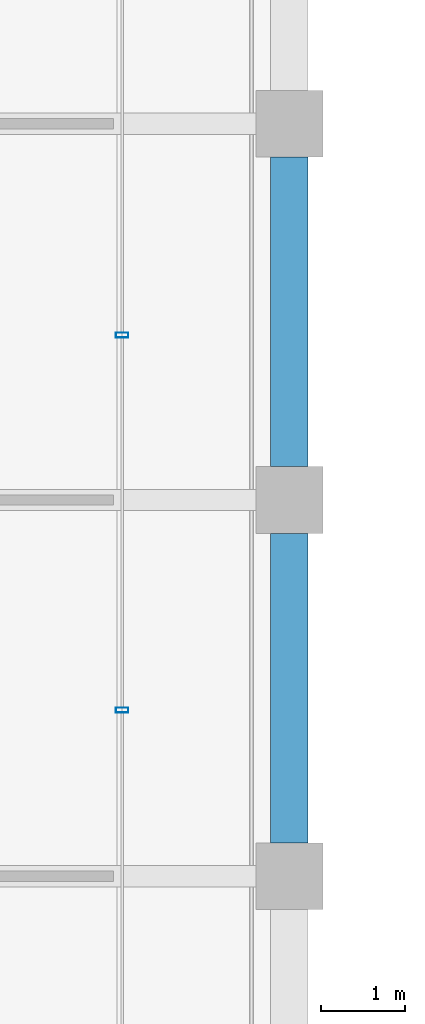
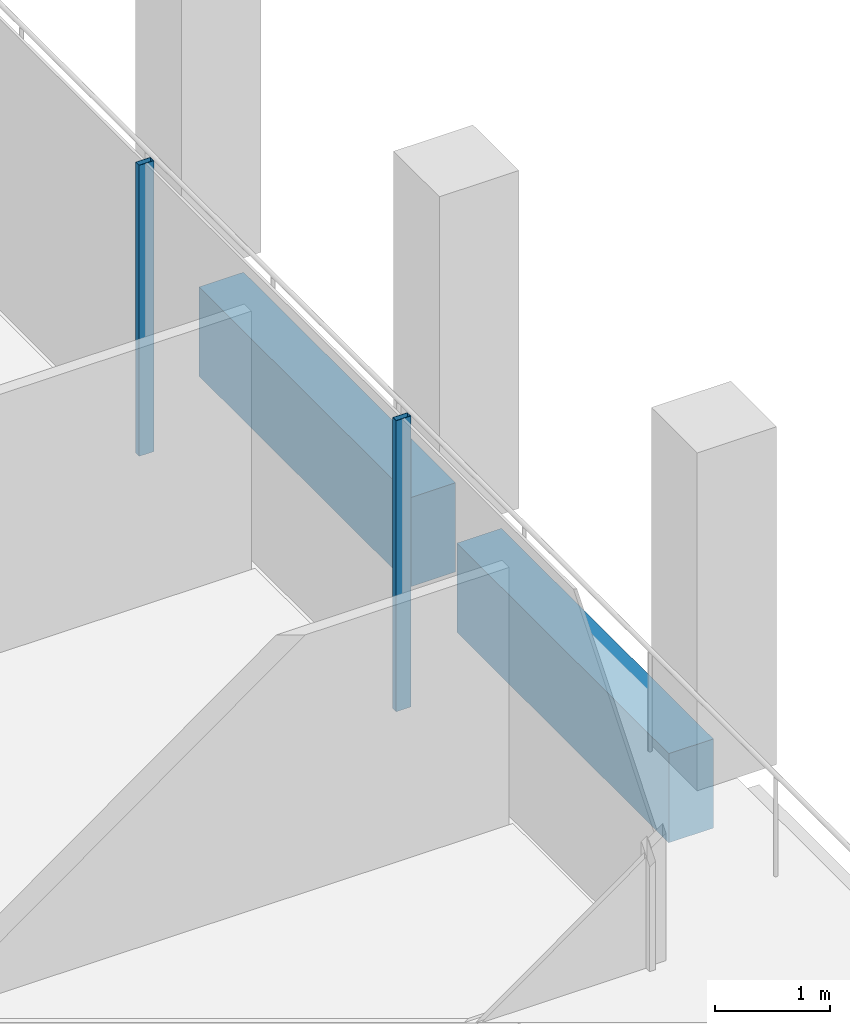
# One storey, part 17 of 62: 2 beams, 2 members, 1 element without a shape of its own.
"""IFC4 building model written with IfcOpenShell, lengths in metres."""

from ifc_helpers import new_model, si_unit, direction, frame, origin, origin_2d, place, context, subcontext, project, spatial, rectangle, hollow_rectangle, extrude, material, material_profile, profile_set, type_object, element, aggregate, save


model = new_model("IFC4")

# Units and contexts
model_context = context("Model", 3, precision=1e-05, world=origin(), true_north=direction((0.0, 1.0)))
body_context = subcontext(model_context, "Body", "Model", "MODEL_VIEW")
ifc_project = project(units=[si_unit("LENGTHUNIT", "METRE"), si_unit("AREAUNIT", "SQUARE_METRE"), si_unit("VOLUMEUNIT", "CUBIC_METRE"), si_unit("PLANEANGLEUNIT", "RADIAN"), si_unit("MASSUNIT", "GRAM", prefix="KILO")], contexts=[model_context])

# Site, building, storey
site_placement = place(None, origin())
site = spatial("IfcSite", under=ifc_project, at=site_placement, CompositionType="ELEMENT")
building_placement = place(site_placement, origin())
building = spatial("IfcBuilding", under=site, at=building_placement, Name="Altepetl Exchange Towers", CompositionType="ELEMENT")
storey_placement = place(building_placement, frame((0.0, 0.0, 210.0)))
storey = spatial("IfcBuildingStorey", under=building, at=storey_placement, Name="L53", CompositionType="ELEMENT", Elevation=210.0)

# Curtain wall, members
ifc_material_1 = material(Name="Aluminium 6063-T6 glazing", Category="aluminium")
curtain_wall_type = type_object("IfcCurtainWallType", Name="Loggia glazing system", PredefinedType="NOTDEFINED", material=ifc_material_1)
curtain_wall_placement = place(storey_placement, origin())
curtain_wall = element("IfcCurtainWall", 1, at=curtain_wall_placement, inside=storey, type_object=curtain_wall_type, Name="CW1 run", PredefinedType="NOTDEFINED")
ifc_material_2 = material(Name="Aluminium 6063-T6", Category="aluminium")
ifc_material_profile_1 = material_profile(ifc_material_2, hollow_rectangle(XDim=0.06005859375, YDim=0.14990234375, WallThickness=0.0029296875, at=origin_2d()), Name="Mullion 60x150 aluminium")
ifc_profile_set_1 = profile_set([ifc_material_profile_1], Name="Aluminium 6063-T6")
member_type = type_object("IfcMemberType", Name="Mullion 60x150 aluminium", PredefinedType="MULLION", material=ifc_profile_set_1)
member_1_placement = place(storey_placement, frame((70.0, 37.986083984375, 0.0), z_axis=(0.0, 0.0, 1.0), x_axis=(0.0, 1.0, 0.0)))
member_1 = element("IfcMember", 2, at=member_1_placement, type_object=member_type, Name="MU1 mullion", PredefinedType="MULLION", context=body_context, shape_type="SweptSolid", body=[
    extrude(hollow_rectangle(XDim=0.06005859375, YDim=0.14990234375, WallThickness=0.0029296875, at=origin_2d()), origin(), (0.0, 0.0, 1.0), 3.10009765625),
])
member_2_placement = place(storey_placement, frame((70.0, 42.471923828125, 0.0), z_axis=(0.0, 0.0, 1.0), x_axis=(0.0, 1.0, 0.0)))
member_2 = element("IfcMember", 3, at=member_2_placement, type_object=member_type, Name="MU1 mullion", PredefinedType="MULLION", context=body_context, shape_type="SweptSolid", body=[
    extrude(hollow_rectangle(XDim=0.06005859375, YDim=0.14990234375, WallThickness=0.0029296875, at=origin_2d()), origin(), (0.0, 0.0, 1.0), 3.10009765625),
])
aggregate(curtain_wall, [member_1, member_2])

# Beams
ifc_material_3 = material(Name="Concrete C50/60 precast with cantera amarilla facing", Category="concrete")
ifc_material_profile_2 = material_profile(ifc_material_3, rectangle(XDim=0.449951171875, YDim=0.949951171875, at=origin_2d()), Name="450 x 950")
ifc_profile_set_2 = profile_set([ifc_material_profile_2], Name="Concrete C50/60 precast with cantera amarilla facing")
beam_type = type_object("IfcBeamType", Name="Spandrel beam 450x950 cantera amarilla", PredefinedType="SPANDREL", material=ifc_profile_set_2)
for number, where, z_axis, x_axis, name in (
    (4, (72.0, 36.39990234375, -0.625), (0.0, 1.0, 0.0), (-1.0, 0.0, 0.0), "sp:A:L53:013"),
    (5, (72.0, 40.89990234375, -0.625), (0.0, 1.0, 0.0), (-1.0, 0.0, 0.0), "sp:A:L53:014"),
):
    element("IfcBeam", number, at=place(storey_placement, frame(where, z_axis=z_axis, x_axis=x_axis)), inside=storey, type_object=beam_type, Name=name, PredefinedType="SPANDREL", context=body_context, shape_type="SweptSolid", body=[
        extrude(rectangle(XDim=0.449951171875, YDim=0.949951171875, at=origin_2d()), origin(), (0.0, 0.0, 1.0), 3.7001953125),
    ])

save(model, "model.ifc")
